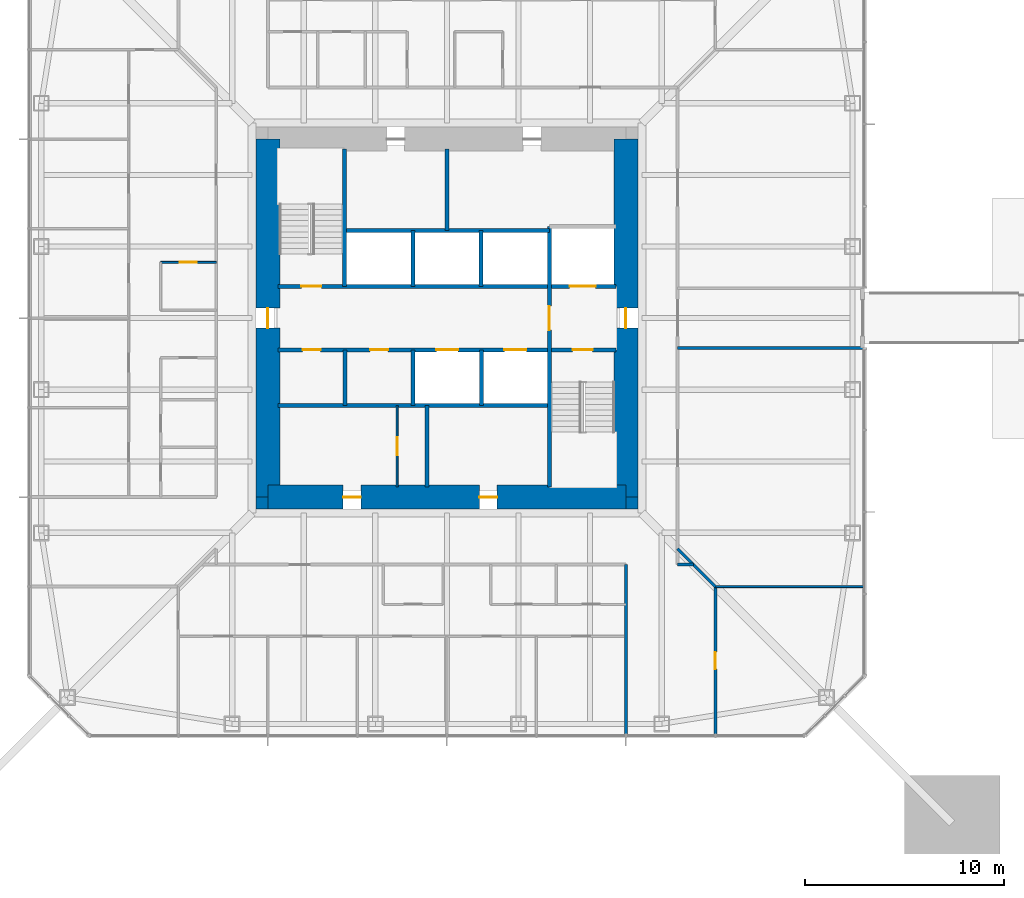
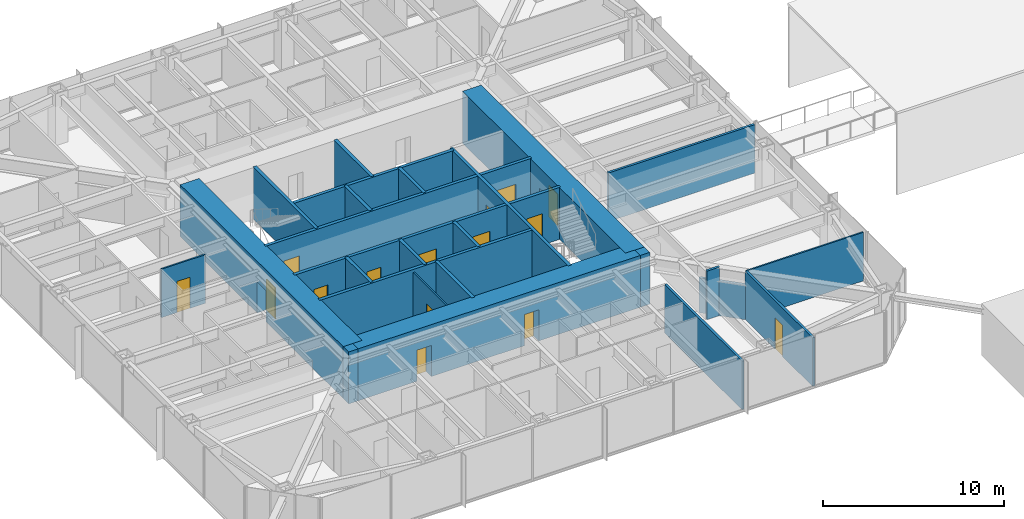
# One storey, part 13 of 23: 26 walls, 15 doors, 15 openings.
"""IFC4 building model written with IfcOpenShell, lengths in metres."""

from ifc_helpers import new_model, si_unit, direction, frame, frame_2d, origin, place, context, subcontext, project, spatial, rectangle, extrude, material, layer, layer_set, type_object, element, fill, save


model = new_model("IFC4")

# Units and contexts
model_context = context("Model", 3, precision=1e-05, world=origin(), true_north=direction((0.0, 1.0)))
body_context = subcontext(model_context, "Body", "Model", "MODEL_VIEW")
ifc_project = project(units=[si_unit("LENGTHUNIT", "METRE"), si_unit("AREAUNIT", "SQUARE_METRE"), si_unit("VOLUMEUNIT", "CUBIC_METRE"), si_unit("PLANEANGLEUNIT", "RADIAN"), si_unit("MASSUNIT", "GRAM", prefix="KILO")], contexts=[model_context])

# Site, building, storey
site_placement = place(None, origin())
site = spatial("IfcSite", under=ifc_project, at=site_placement, CompositionType="ELEMENT")
building_placement = place(site_placement, origin())
building = spatial("IfcBuilding", under=site, at=building_placement, Name="Iwan Alto Co-Living Towers", CompositionType="ELEMENT")
storey_placement = place(building_placement, frame((0.0, 0.0, 129.5)))
storey = spatial("IfcBuildingStorey", under=building, at=storey_placement, Name="L35", CompositionType="ELEMENT", Elevation=129.5)

# Walls
ifc_material_1 = material(Name="Gypsum board")
ifc_layer_1 = layer(ifc_material_1, 0.02490234375, Name="Board", Category="Finish")
ifc_material_2 = material(Name="Steel ASTM A1003 ST33H cold-formed studs", Category="steel")
ifc_layer_2 = layer(ifc_material_2, 0.10009765625, Name="Studs", Category="Framing")
ifc_layer_3 = layer(ifc_material_1, 0.02490234375, Name="Board", Category="Finish")
ifc_layer_set_1 = layer_set([ifc_layer_1, ifc_layer_2, ifc_layer_3], Name="CORRIDOR WALL 150")
wall_type_1 = type_object("IfcWallType", Name="CORRIDOR WALL 150", PredefinedType="PARTITIONING", material=ifc_layer_set_1)
wall_1_placement = place(storey_placement, frame((11.60009765625, -12.39990234375, 0.0), z_axis=(0.0, 0.0, 1.0), x_axis=(1.0, 0.0, 0.0)))
element("IfcWall", 1, at=wall_1_placement, inside=storey, type_object=wall_type_1, Name="Partition L35", PredefinedType="PARTITIONING", context=body_context, shape_type="SweptSolid", body=[
    extrude(rectangle(XDim=0.7998046875, YDim=0.14990234375, at=frame_2d((0.39990234375, 0.0))), origin(), (0.0, 0.0, 1.0), 3.27001953125),
])
wall_2_placement = place(storey_placement, frame((11.60009765625, -1.5, 0.0), z_axis=(0.0, 0.0, 1.0), x_axis=(1.0, 0.0, 0.0)))
element("IfcWall", 2, at=wall_2_placement, inside=storey, type_object=wall_type_1, Name="Partition L35", PredefinedType="PARTITIONING", context=body_context, shape_type="SweptSolid", body=[
    extrude(rectangle(XDim=9.33984375, YDim=0.14990234375, at=frame_2d((4.669921875, 0.0))), origin(), (0.0, 0.0, 1.0), 3.27001953125),
])

# Wall, opening, door
wall_3_placement = place(storey_placement, frame((13.5, -20.93994140625, 0.0), z_axis=(0.0, 0.0, 1.0), x_axis=(0.0, 1.0, 0.0)))
wall_3 = element("IfcWall", 3, at=wall_3_placement, inside=storey, type_object=wall_type_1, Name="Partition L35", PredefinedType="PARTITIONING", context=body_context, shape_type="SweptSolid", body=[
    extrude(rectangle(XDim=7.43994140625, YDim=0.14990234375, at=frame_2d((3.719970703125, 0.0))), origin(), (0.0, 0.0, 1.0), 3.27001953125),
])
opening_1_placement = place(wall_3_placement, frame((3.294921875, 0.0, 0.0)))
opening_1 = element("IfcOpeningElement", 4, at=opening_1_placement, cuts=wall_3, Name="Opening D2", PredefinedType="OPENING", context=body_context, shape_type="SweptSolid", body=[
    extrude(rectangle(XDim=0.85009765625, YDim=2.10009765625, at=frame_2d((0.425048828125, 1.050048828125))), frame((0.0, 0.0849609375, 0.0), z_axis=(0.0, -1.0, 0.0), x_axis=(1.0, 0.0, 0.0)), (0.0, 0.0, 1.0), 0.169921875),
])
ifc_material_3 = material(Name="Timber leaf in steel frame", Category="steel")
door_type_1 = type_object("IfcDoorType", Name="ROOM DOOR 850X2100", OperationType="SINGLE_SWING_LEFT", PredefinedType="DOOR", material=ifc_material_3)
door_1_placement = place(opening_1_placement, frame((0.85009765625, 0.0, 0.0), z_axis=(0.0, 0.0, 1.0), x_axis=(-1.0, 0.0, 0.0)))
door_1 = element("IfcDoor", 5, at=door_1_placement, inside=storey, type_object=door_type_1, Name="Shared kitchen and lounge door L35", OperationType="SINGLE_SWING_LEFT", OverallHeight=2.10009765625, OverallWidth=0.85009765625, PredefinedType="DOOR", context=body_context, shape_type="SweptSolid", body=[
    extrude(rectangle(XDim=0.85009765625, YDim=2.10009765625, at=frame_2d((0.425048828125, 1.050048828125))), frame((0.0, 0.02490234375, 0.0), z_axis=(0.0, -1.0, 0.0), x_axis=(1.0, 0.0, 0.0)), (0.0, 0.0, 1.0), 0.050048828125),
])
fill(opening_1, door_1)

# Walls
wall_4_placement = place(storey_placement, frame((9.0, -20.93994140625, 0.0), z_axis=(0.0, 0.0, 1.0), x_axis=(0.0, 1.0, 0.0)))
element("IfcWall", 6, at=wall_4_placement, inside=storey, type_object=wall_type_1, Name="Partition L35", PredefinedType="PARTITIONING", context=body_context, shape_type="SweptSolid", body=[
    extrude(rectangle(XDim=8.5400390625, YDim=0.14990234375, at=frame_2d((4.27001953125, 0.0))), origin(), (0.0, 0.0, 1.0), 3.27001953125),
])
wall_5_placement = place(storey_placement, frame((13.5, -13.5, 0.0), z_axis=(0.0, 0.0, 1.0), x_axis=(-0.707106781187, 0.707106781187, 0.0)))
element("IfcWall", 7, at=wall_5_placement, inside=storey, type_object=wall_type_1, Name="Partition L35", PredefinedType="PARTITIONING", context=body_context, shape_type="SweptSolid", body=[
    extrude(rectangle(XDim=2.686767578125, YDim=0.14990234375, at=frame_2d((1.34326171875, 0.0))), origin(), (0.0, 0.0, 1.0), 2.343017578125),
])
ifc_layer_4 = layer(ifc_material_1, 0.012451171875, Name="Board", Category="Finish")
ifc_layer_5 = layer(ifc_material_2, 0.074951171875, Name="Studs", Category="Framing")
ifc_layer_6 = layer(ifc_material_1, 0.012451171875, Name="Board", Category="Finish")
ifc_layer_set_2 = layer_set([ifc_layer_4, ifc_layer_5, ifc_layer_6], Name="PARTITION 100")
wall_type_2 = type_object("IfcWallType", Name="PARTITION 100", PredefinedType="PARTITIONING", material=ifc_layer_set_2)
wall_6_placement = place(storey_placement, frame((13.5, -13.5, 0.0), z_axis=(0.0, 0.0, 1.0), x_axis=(1.0, 0.0, 0.0)))
element("IfcWall", 8, at=wall_6_placement, inside=storey, type_object=wall_type_2, Name="Partition L35", PredefinedType="PARTITIONING", context=body_context, shape_type="SweptSolid", body=[
    extrude(rectangle(XDim=7.43994140625, YDim=0.10009765625, at=frame_2d((3.719970703125, 0.0))), origin(), (0.0, 0.0, 1.0), 3.27001953125),
])

# Wall, opening, door
wall_7_placement = place(storey_placement, frame((-14.39990234375, 2.800048828125, 0.0), z_axis=(0.0, 0.0, 1.0), x_axis=(1.0, 0.0, 0.0)))
wall_7 = element("IfcWall", 9, at=wall_7_placement, inside=storey, type_object=wall_type_2, Name="Partition L35", PredefinedType="PARTITIONING", context=body_context, shape_type="SweptSolid", body=[
    extrude(rectangle(XDim=2.7998046875, YDim=0.10009765625, at=frame_2d((1.39990234375, 0.0))), origin(), (0.0, 0.0, 1.0), 3.27001953125),
])
opening_2_placement = place(wall_7_placement, frame((0.97509765625, 0.0, 0.0)))
opening_2 = element("IfcOpeningElement", 10, at=opening_2_placement, cuts=wall_7, Name="Opening D2", PredefinedType="OPENING", context=body_context, shape_type="SweptSolid", body=[
    extrude(rectangle(XDim=0.85009765625, YDim=2.10009765625, at=frame_2d((0.425048828125, 1.050048828125))), frame((0.0, 0.06005859375, 0.0), z_axis=(0.0, -1.0, 0.0), x_axis=(1.0, 0.0, 0.0)), (0.0, 0.0, 1.0), 0.1201171875),
])
door_2_placement = place(opening_2_placement, origin())
door_2 = element("IfcDoor", 11, at=door_2_placement, inside=storey, type_object=door_type_1, Name="Store room door L35", OperationType="SINGLE_SWING_RIGHT", OverallHeight=2.10009765625, OverallWidth=0.85009765625, PredefinedType="DOOR", context=body_context, shape_type="SweptSolid", body=[
    extrude(rectangle(XDim=0.85009765625, YDim=2.10009765625, at=frame_2d((0.425048828125, 1.050048828125))), frame((0.0, 0.02490234375, 0.0), z_axis=(0.0, -1.0, 0.0), x_axis=(1.0, 0.0, 0.0)), (0.0, 0.0, 1.0), 0.050048828125),
])
fill(opening_2, door_2)

wall_8_placement = place(storey_placement, frame((-2.5, -8.489990234375, 0.0), z_axis=(0.0, 0.0, 1.0), x_axis=(0.0, 1.0, 0.0)))
wall_8 = element("IfcWall", 12, at=wall_8_placement, inside=storey, type_object=wall_type_2, Name="Partition L35", PredefinedType="PARTITIONING", context=body_context, shape_type="SweptSolid", body=[
    extrude(rectangle(XDim=4.090087890625, YDim=0.10009765625, at=frame_2d((2.044921875, 0.0))), origin(), (0.0, 0.0, 1.0), 3.300048828125),
])
opening_3_placement = place(wall_8_placement, frame((1.594970703125, 0.0, 0.0)))
opening_3 = element("IfcOpeningElement", 13, at=opening_3_placement, cuts=wall_8, Name="Opening D16", PredefinedType="OPENING", context=body_context, shape_type="SweptSolid", body=[
    extrude(rectangle(XDim=0.89990234375, YDim=2.10009765625, at=frame_2d((0.449951171875, 1.050048828125))), frame((0.0, 0.06005859375, 0.0), z_axis=(0.0, -1.0, 0.0), x_axis=(1.0, 0.0, 0.0)), (0.0, 0.0, 1.0), 0.1201171875),
])
ifc_material_4 = material(Name="Timber leaf in steel frame", Category="steel")
door_type_2 = type_object("IfcDoorType", Name="CUPBOARD SLIDING DOOR 900X2100", OperationType="SLIDING_TO_LEFT", PredefinedType="DOOR", material=ifc_material_4)
door_3_placement = place(opening_3_placement, origin())
door_3 = element("IfcDoor", 14, at=door_3_placement, inside=storey, type_object=door_type_2, Name="Bulky waste store door L35", OperationType="SLIDING_TO_LEFT", OverallHeight=2.10009765625, OverallWidth=0.89990234375, PredefinedType="DOOR", context=body_context, shape_type="SweptSolid", body=[
    extrude(rectangle(XDim=0.89990234375, YDim=2.10009765625, at=frame_2d((0.449951171875, 1.050048828125))), frame((0.0, 0.02490234375, 0.0), z_axis=(0.0, -1.0, 0.0), x_axis=(1.0, 0.0, 0.0)), (0.0, 0.0, 1.0), 0.050048828125),
])
fill(opening_3, door_3)

# Wall
ifc_material_5 = material(Name="Concrete f'c 70 MPa", Category="concrete")
ifc_layer_7 = layer(ifc_material_5, 0.199951171875)
ifc_layer_set_3 = layer_set([ifc_layer_7], Name="SHAFT WALL 200")
wall_type_3 = type_object("IfcWallType", Name="SHAFT WALL 200", PredefinedType="SOLIDWALL", material=ifc_layer_set_3)
wall_9_placement = place(storey_placement, frame((-8.489990234375, -4.39990234375, 0.0), z_axis=(0.0, 0.0, 1.0), x_axis=(1.0, 0.0, 0.0)))
element("IfcWall", 15, at=wall_9_placement, inside=storey, type_object=wall_type_3, Name="Shaft wall L35", PredefinedType="SOLIDWALL", context=body_context, shape_type="SweptSolid", body=[
    extrude(rectangle(XDim=13.639892578125, YDim=0.199951171875, at=frame_2d((6.81982421875, 0.0))), origin(), (0.0, 0.0, 1.0), 3.5),
])

# Wall, openings, doors
wall_10_placement = place(storey_placement, frame((-8.489990234375, -1.60009765625, 0.0), z_axis=(0.0, 0.0, 1.0), x_axis=(1.0, 0.0, 0.0)))
wall_10 = element("IfcWall", 16, at=wall_10_placement, inside=storey, type_object=wall_type_3, Name="Shaft wall L35", PredefinedType="SOLIDWALL", context=body_context, shape_type="SweptSolid", body=[
    extrude(rectangle(XDim=16.97998046875, YDim=0.199951171875, at=frame_2d((8.489990234375, 0.0))), origin(), (0.0, 0.0, 1.0), 3.5),
])
opening_4_placement = place(wall_10_placement, frame((14.81005859375, 0.0, 0.0)))
opening_4 = element("IfcOpeningElement", 17, at=opening_4_placement, cuts=wall_10, Name="Opening D5", PredefinedType="OPENING", context=body_context, shape_type="SweptSolid", body=[
    extrude(rectangle(XDim=1.0, YDim=2.10009765625, at=frame_2d((0.5, 1.050048828125))), frame((0.0, 0.10986328125, 0.0), z_axis=(0.0, -1.0, 0.0), x_axis=(1.0, 0.0, 0.0)), (0.0, 0.0, 1.0), 0.219970703125),
])
opening_5_placement = place(wall_10_placement, frame((1.23193359375, 0.0, 0.0)))
opening_5 = element("IfcOpeningElement", 18, at=opening_5_placement, cuts=wall_10, Name="Opening D15", PredefinedType="OPENING", context=body_context, shape_type="SweptSolid", body=[
    extrude(rectangle(XDim=0.89990234375, YDim=2.10009765625, at=frame_2d((0.449951171875, 1.050048828125))), frame((0.0, 0.10986328125, 0.0), z_axis=(0.0, -1.0, 0.0), x_axis=(1.0, 0.0, 0.0)), (0.0, 0.0, 1.0), 0.219970703125),
])
opening_6_placement = place(wall_10_placement, frame((4.626953125, 0.0, 0.0)))
opening_6 = element("IfcOpeningElement", 19, at=opening_6_placement, cuts=wall_10, Name="Opening D15", PredefinedType="OPENING", context=body_context, shape_type="SweptSolid", body=[
    extrude(rectangle(XDim=0.89990234375, YDim=2.10009765625, at=frame_2d((0.449951171875, 1.050048828125))), frame((0.0, 0.10986328125, 0.0), z_axis=(0.0, -1.0, 0.0), x_axis=(1.0, 0.0, 0.0)), (0.0, 0.0, 1.0), 0.219970703125),
])
opening_7_placement = place(wall_10_placement, frame((7.952880859375, 0.0, 0.0)))
opening_7 = element("IfcOpeningElement", 20, at=opening_7_placement, cuts=wall_10, Name="Opening LD", PredefinedType="OPENING", context=body_context, shape_type="SweptSolid", body=[
    extrude(rectangle(XDim=1.10009765625, YDim=2.10009765625, at=frame_2d((0.550048828125, 1.050048828125))), frame((0.0, 0.10986328125, 0.0), z_axis=(0.0, -1.0, 0.0), x_axis=(1.0, 0.0, 0.0)), (0.0, 0.0, 1.0), 0.219970703125),
])
opening_8_placement = place(wall_10_placement, frame((11.3779296875, 0.0, 0.0)))
opening_8 = element("IfcOpeningElement", 21, at=opening_8_placement, cuts=wall_10, Name="Opening LD", PredefinedType="OPENING", context=body_context, shape_type="SweptSolid", body=[
    extrude(rectangle(XDim=1.10009765625, YDim=2.10009765625, at=frame_2d((0.550048828125, 1.050048828125))), frame((0.0, 0.10986328125, 0.0), z_axis=(0.0, -1.0, 0.0), x_axis=(1.0, 0.0, 0.0)), (0.0, 0.0, 1.0), 0.219970703125),
])
ifc_material_6 = material(Name="Steel frame with timber leaf", Category="steel")
door_type_3 = type_object("IfcDoorType", Name="CORE ROOM DOOR FD60S 900X2100", OperationType="SINGLE_SWING_LEFT", PredefinedType="DOOR", material=ifc_material_6)
door_4_placement = place(opening_5_placement, frame((0.89990234375, 0.0, 0.0), z_axis=(0.0, 0.0, 1.0), x_axis=(-1.0, 0.0, 0.0)))
door_4 = element("IfcDoor", 22, at=door_4_placement, inside=storey, type_object=door_type_3, Name="Linen store door L35", OperationType="SINGLE_SWING_LEFT", OverallHeight=2.10009765625, OverallWidth=0.89990234375, PredefinedType="DOOR", context=body_context, shape_type="SweptSolid", body=[
    extrude(rectangle(XDim=0.89990234375, YDim=2.10009765625, at=frame_2d((0.449951171875, 1.050048828125))), frame((0.0, 0.02490234375, 0.0), z_axis=(0.0, -1.0, 0.0), x_axis=(1.0, 0.0, 0.0)), (0.0, 0.0, 1.0), 0.050048828125),
])
fill(opening_5, door_4)
door_5_placement = place(opening_6_placement, frame((0.89990234375, 0.0, 0.0), z_axis=(0.0, 0.0, 1.0), x_axis=(-1.0, 0.0, 0.0)))
door_5 = element("IfcDoor", 23, at=door_5_placement, inside=storey, type_object=door_type_3, Name="Linen store door L35", OperationType="SINGLE_SWING_RIGHT", OverallHeight=2.10009765625, OverallWidth=0.89990234375, PredefinedType="DOOR", context=body_context, shape_type="SweptSolid", body=[
    extrude(rectangle(XDim=0.89990234375, YDim=2.10009765625, at=frame_2d((0.449951171875, 1.050048828125))), frame((0.0, 0.02490234375, 0.0), z_axis=(0.0, -1.0, 0.0), x_axis=(1.0, 0.0, 0.0)), (0.0, 0.0, 1.0), 0.050048828125),
])
fill(opening_6, door_5)
ifc_material_7 = material(Name="Steel frame with timber leaf", Category="steel")
door_type_4 = type_object("IfcDoorType", Name="LIFT LANDING DOOR 1100X2100", OperationType="DOUBLE_DOOR_SLIDING", PredefinedType="DOOR", material=ifc_material_7)
door_6_placement = place(opening_7_placement, origin())
door_6 = element("IfcDoor", 24, at=door_6_placement, inside=storey, type_object=door_type_4, Name="Lift P2-3 landing door L35", OperationType="DOUBLE_DOOR_SLIDING", OverallHeight=2.10009765625, OverallWidth=1.10009765625, PredefinedType="DOOR", context=body_context, shape_type="SweptSolid", body=[
    extrude(rectangle(XDim=1.10009765625, YDim=2.10009765625, at=frame_2d((0.550048828125, 1.050048828125))), frame((0.0, 0.02490234375, 0.0), z_axis=(0.0, -1.0, 0.0), x_axis=(1.0, 0.0, 0.0)), (0.0, 0.0, 1.0), 0.050048828125),
])
fill(opening_7, door_6)
door_7_placement = place(opening_8_placement, origin())
door_7 = element("IfcDoor", 25, at=door_7_placement, inside=storey, type_object=door_type_4, Name="Lift P2-4 landing door L35", OperationType="DOUBLE_DOOR_SLIDING", OverallHeight=2.10009765625, OverallWidth=1.10009765625, PredefinedType="DOOR", context=body_context, shape_type="SweptSolid", body=[
    extrude(rectangle(XDim=1.10009765625, YDim=2.10009765625, at=frame_2d((0.550048828125, 1.050048828125))), frame((0.0, 0.02490234375, 0.0), z_axis=(0.0, -1.0, 0.0), x_axis=(1.0, 0.0, 0.0)), (0.0, 0.0, 1.0), 0.050048828125),
])
fill(opening_8, door_7)
ifc_material_8 = material(Name="Steel frame with timber leaf", Category="steel")
door_type_5 = type_object("IfcDoorType", Name="STAIR DOOR FD120S 1000X2100", OperationType="SINGLE_SWING_LEFT", PredefinedType="DOOR", material=ifc_material_8)
door_8_placement = place(opening_4_placement, frame((1.0, 0.0, 0.0), z_axis=(0.0, 0.0, 1.0), x_axis=(-1.0, 0.0, 0.0)))
door_8 = element("IfcDoor", 26, at=door_8_placement, inside=storey, type_object=door_type_5, Name="Stair S2 door L35", OperationType="SINGLE_SWING_RIGHT", OverallHeight=2.10009765625, OverallWidth=1.0, PredefinedType="DOOR", context=body_context, shape_type="SweptSolid", body=[
    extrude(rectangle(XDim=1.0, YDim=2.10009765625, at=frame_2d((0.5, 1.050048828125))), frame((0.0, 0.02490234375, 0.0), z_axis=(0.0, -1.0, 0.0), x_axis=(1.0, 0.0, 0.0)), (0.0, 0.0, 1.0), 0.050048828125),
])
fill(opening_4, door_8)

wall_11_placement = place(storey_placement, frame((-8.489990234375, 1.60009765625, 0.0), z_axis=(0.0, 0.0, 1.0), x_axis=(1.0, 0.0, 0.0)))
wall_11 = element("IfcWall", 27, at=wall_11_placement, inside=storey, type_object=wall_type_3, Name="Shaft wall L35", PredefinedType="SOLIDWALL", context=body_context, shape_type="SweptSolid", body=[
    extrude(rectangle(XDim=16.97998046875, YDim=0.199951171875, at=frame_2d((8.489990234375, 0.0))), origin(), (0.0, 0.0, 1.0), 3.5),
])
opening_9_placement = place(wall_11_placement, frame((1.169921875, 0.0, 0.0)))
opening_9 = element("IfcOpeningElement", 28, at=opening_9_placement, cuts=wall_11, Name="Opening D5", PredefinedType="OPENING", context=body_context, shape_type="SweptSolid", body=[
    extrude(rectangle(XDim=1.0, YDim=2.10009765625, at=frame_2d((0.5, 1.050048828125))), frame((0.0, 0.10986328125, 0.0), z_axis=(0.0, -1.0, 0.0), x_axis=(1.0, 0.0, 0.0)), (0.0, 0.0, 1.0), 0.219970703125),
])
opening_10_placement = place(wall_11_placement, frame((14.659912109375, 0.0, 0.0)))
opening_10 = element("IfcOpeningElement", 29, at=opening_10_placement, cuts=wall_11, Name="Opening LD2", PredefinedType="OPENING", context=body_context, shape_type="SweptSolid", body=[
    extrude(rectangle(XDim=1.300048828125, YDim=2.10009765625, at=frame_2d((0.64990234375, 1.050048828125))), frame((0.0, 0.10986328125, 0.0), z_axis=(0.0, -1.0, 0.0), x_axis=(1.0, 0.0, 0.0)), (0.0, 0.0, 1.0), 0.219970703125),
])
ifc_material_9 = material(Name="Steel frame with timber leaf", Category="steel")
door_type_6 = type_object("IfcDoorType", Name="LIFT LANDING DOOR 1300X2100", OperationType="SLIDING_TO_LEFT", PredefinedType="DOOR", material=ifc_material_9)
door_9_placement = place(opening_10_placement, origin())
door_9 = element("IfcDoor", 30, at=door_9_placement, inside=storey, type_object=door_type_6, Name="Lift FL1 landing door L35", OperationType="SLIDING_TO_LEFT", OverallHeight=2.10009765625, OverallWidth=1.300048828125, PredefinedType="DOOR", context=body_context, shape_type="SweptSolid", body=[
    extrude(rectangle(XDim=1.300048828125, YDim=2.10009765625, at=frame_2d((0.64990234375, 1.050048828125))), frame((0.0, 0.02490234375, 0.0), z_axis=(0.0, -1.0, 0.0), x_axis=(1.0, 0.0, 0.0)), (0.0, 0.0, 1.0), 0.050048828125),
])
fill(opening_10, door_9)
door_10_placement = place(opening_9_placement, origin())
door_10 = element("IfcDoor", 31, at=door_10_placement, inside=storey, type_object=door_type_5, Name="Stair S1 door L35", OperationType="SINGLE_SWING_RIGHT", OverallHeight=2.10009765625, OverallWidth=1.0, PredefinedType="DOOR", context=body_context, shape_type="SweptSolid", body=[
    extrude(rectangle(XDim=1.0, YDim=2.10009765625, at=frame_2d((0.5, 1.050048828125))), frame((0.0, 0.02490234375, 0.0), z_axis=(0.0, -1.0, 0.0), x_axis=(1.0, 0.0, 0.0)), (0.0, 0.0, 1.0), 0.050048828125),
])
fill(opening_9, door_10)

# Wall
wall_12_placement = place(storey_placement, frame((-5.14990234375, 4.39990234375, 0.0), z_axis=(0.0, 0.0, 1.0), x_axis=(1.0, 0.0, 0.0)))
element("IfcWall", 32, at=wall_12_placement, inside=storey, type_object=wall_type_3, Name="Shaft wall L35", PredefinedType="SOLIDWALL", context=body_context, shape_type="SweptSolid", body=[
    extrude(rectangle(XDim=10.2998046875, YDim=0.199951171875, at=frame_2d((5.14990234375, 0.0))), origin(), (0.0, 0.0, 1.0), 3.5),
])

# Wall, opening, door
wall_13_placement = place(storey_placement, frame((5.14990234375, -8.489990234375, 0.0), z_axis=(0.0, 0.0, 1.0), x_axis=(0.0, 1.0, 0.0)))
wall_13 = element("IfcWall", 33, at=wall_13_placement, inside=storey, type_object=wall_type_3, Name="Shaft wall L35", PredefinedType="SOLIDWALL", context=body_context, shape_type="SweptSolid", body=[
    extrude(rectangle(XDim=13.090087890625, YDim=0.199951171875, at=frame_2d((6.544921875, 0.0))), origin(), (0.0, 0.0, 1.0), 3.5),
])
opening_11_placement = place(wall_13_placement, frame((7.889892578125, 0.0, 0.0)))
opening_11 = element("IfcOpeningElement", 34, at=opening_11_placement, cuts=wall_13, Name="Opening D6", PredefinedType="OPENING", context=body_context, shape_type="SweptSolid", body=[
    extrude(rectangle(XDim=1.199951171875, YDim=2.10009765625, at=frame_2d((0.60009765625, 1.050048828125))), frame((0.0, 0.10986328125, 0.0), z_axis=(0.0, -1.0, 0.0), x_axis=(1.0, 0.0, 0.0)), (0.0, 0.0, 1.0), 0.219970703125),
])
ifc_material_10 = material(Name="Steel frame with timber leaf", Category="steel")
door_type_7 = type_object("IfcDoorType", Name="LOBBY DOOR FD120S 1200X2100", OperationType="SINGLE_SWING_LEFT", PredefinedType="DOOR", material=ifc_material_10)
door_11_placement = place(opening_11_placement, frame((1.199951171875, 0.0, 0.0), z_axis=(0.0, 0.0, 1.0), x_axis=(-1.0, 0.0, 0.0)))
door_11 = element("IfcDoor", 35, at=door_11_placement, inside=storey, type_object=door_type_7, Name="Firefighting lobby door L35", OperationType="SINGLE_SWING_RIGHT", OverallHeight=2.10009765625, OverallWidth=1.199951171875, PredefinedType="DOOR", context=body_context, shape_type="SweptSolid", body=[
    extrude(rectangle(XDim=1.199951171875, YDim=2.10009765625, at=frame_2d((0.60009765625, 1.050048828125))), frame((0.0, 0.02490234375, 0.0), z_axis=(0.0, -1.0, 0.0), x_axis=(1.0, 0.0, 0.0)), (0.0, 0.0, 1.0), 0.050048828125),
])
fill(opening_11, door_11)

# Walls
for number, where, z_axis, x_axis, name in (
    (36, (1.72509765625, -4.39990234375, 0.0), (0.0, 0.0, 1.0), (0.0, 1.0, 0.0), "Shaft wall L35"),
    (37, (1.717041015625, 1.60009765625, 0.0), (0.0, 0.0, 1.0), (0.0, 1.0, 0.0), "Shaft wall L35"),
):
    element("IfcWall", number, at=place(storey_placement, frame(where, z_axis=z_axis, x_axis=x_axis)), inside=storey, type_object=wall_type_3, Name=name, PredefinedType="SOLIDWALL", context=body_context, shape_type="SweptSolid", body=[
        extrude(rectangle(XDim=2.7998046875, YDim=0.199951171875, at=frame_2d((1.39990234375, 0.0))), origin(), (0.0, 0.0, 1.0), 3.5),
    ])
for number, where, z_axis, x_axis, name in (
    (38, (0.0, 4.39990234375, 0.0), (0.0, 0.0, 1.0), (0.0, 1.0, 0.0), "Shaft wall L35"),
    (39, (-1.0, -8.489990234375, 0.0), (0.0, 0.0, 1.0), (0.0, 1.0, 0.0), "Shaft wall L35"),
):
    element("IfcWall", number, at=place(storey_placement, frame(where, z_axis=z_axis, x_axis=x_axis)), inside=storey, type_object=wall_type_3, Name=name, PredefinedType="SOLIDWALL", context=body_context, shape_type="SweptSolid", body=[
        extrude(rectangle(XDim=4.090087890625, YDim=0.199951171875, at=frame_2d((2.044921875, 0.0))), origin(), (0.0, 0.0, 1.0), 3.5),
    ])
for number, where, z_axis, x_axis, name in (
    (40, (-1.699951171875, -4.39990234375, 0.0), (0.0, 0.0, 1.0), (0.0, 1.0, 0.0), "Shaft wall L35"),
    (41, (-1.717041015625, 1.60009765625, 0.0), (0.0, 0.0, 1.0), (0.0, 1.0, 0.0), "Shaft wall L35"),
    (42, (-5.125, -4.39990234375, 0.0), (0.0, 0.0, 1.0), (0.0, 1.0, 0.0), "Shaft wall L35"),
):
    element("IfcWall", number, at=place(storey_placement, frame(where, z_axis=z_axis, x_axis=x_axis)), inside=storey, type_object=wall_type_3, Name=name, PredefinedType="SOLIDWALL", context=body_context, shape_type="SweptSolid", body=[
        extrude(rectangle(XDim=2.7998046875, YDim=0.199951171875, at=frame_2d((1.39990234375, 0.0))), origin(), (0.0, 0.0, 1.0), 3.5),
    ])
wall_14_placement = place(storey_placement, frame((-5.14990234375, 1.60009765625, 0.0), z_axis=(0.0, 0.0, 1.0), x_axis=(0.0, 1.0, 0.0)))
element("IfcWall", 43, at=wall_14_placement, inside=storey, type_object=wall_type_3, Name="Shaft wall L35", PredefinedType="SOLIDWALL", context=body_context, shape_type="SweptSolid", body=[
    extrude(rectangle(XDim=6.889892578125, YDim=0.199951171875, at=frame_2d((3.44482421875, 0.0))), origin(), (0.0, 0.0, 1.0), 3.5),
])
ifc_material_11 = material(Name="Concrete f'c 70 MPa", Category="concrete")
ifc_layer_8 = layer(ifc_material_11, 0.60009765625)
ifc_layer_set_4 = layer_set([ifc_layer_8], Name="T1 CORE CORNER FILL 600")
wall_type_4 = type_object("IfcWallType", Name="T1 CORE CORNER FILL 600", PredefinedType="SOLIDWALL", material=ifc_layer_set_4)
for number, where, z_axis, x_axis, name in (
    (44, (-9.60009765625, -9.300048828125, 0.0), (0.0, 0.0, 1.0), (1.0, 0.0, 0.0), "T1 core corner SW L35"),
    (45, (9.0, -9.300048828125, 0.0), (0.0, 0.0, 1.0), (1.0, 0.0, 0.0), "T1 core corner SE L35"),
):
    element("IfcWall", number, at=place(storey_placement, frame(where, z_axis=z_axis, x_axis=x_axis)), inside=storey, type_object=wall_type_4, Name=name, PredefinedType="SOLIDWALL", context=body_context, shape_type="SweptSolid", body=[
        extrude(rectangle(XDim=0.60009765625, YDim=0.60009765625, at=frame_2d((0.300048828125, 0.0))), origin(), (0.0, 0.0, 1.0), 3.5),
    ])

# Wall, openings, doors
ifc_material_12 = material(Name="Concrete f'c 70 MPa", Category="concrete")
ifc_layer_9 = layer(ifc_material_12, 1.199951171875)
ifc_layer_set_5 = layer_set([ifc_layer_9], Name="T1 CORE WALL 1200")
wall_type_5 = type_object("IfcWallType", Name="T1 CORE WALL 1200", PredefinedType="SHEAR", material=ifc_layer_set_5)
wall_15_placement = place(storey_placement, frame((-9.0, -9.0, 0.0), z_axis=(0.0, 0.0, 1.0), x_axis=(1.0, 0.0, 0.0)))
wall_15 = element("IfcWall", 46, at=wall_15_placement, inside=storey, type_object=wall_type_5, Name="T1 core wall S L35", PredefinedType="SHEAR", context=body_context, shape_type="SweptSolid", body=[
    extrude(rectangle(XDim=18.0, YDim=1.199951171875, at=frame_2d((9.0, 0.0))), origin(), (0.0, 0.0, 1.0), 3.5),
])
opening_12_placement = place(wall_15_placement, frame((3.77490234375, 0.0, 0.0)))
opening_12 = element("IfcOpeningElement", 47, at=opening_12_placement, cuts=wall_15, Name="Opening D8", PredefinedType="OPENING", context=body_context, shape_type="SweptSolid", body=[
    extrude(rectangle(XDim=0.89990234375, YDim=2.10009765625, at=frame_2d((0.449951171875, 1.050048828125))), frame((0.0, 0.60986328125, 0.0), z_axis=(0.0, -1.0, 0.0), x_axis=(1.0, 0.0, 0.0)), (0.0, 0.0, 1.0), 1.219970703125),
])
opening_13_placement = place(wall_15_placement, frame((10.625, 0.0, 0.0)))
opening_13 = element("IfcOpeningElement", 48, at=opening_13_placement, cuts=wall_15, Name="Opening D8", PredefinedType="OPENING", context=body_context, shape_type="SweptSolid", body=[
    extrude(rectangle(XDim=0.89990234375, YDim=2.10009765625, at=frame_2d((0.449951171875, 1.050048828125))), frame((0.0, 0.60986328125, 0.0), z_axis=(0.0, -1.0, 0.0), x_axis=(1.0, 0.0, 0.0)), (0.0, 0.0, 1.0), 1.219970703125),
])
ifc_material_13 = material(Name="Steel frame with timber leaf", Category="steel")
door_type_8 = type_object("IfcDoorType", Name="RISER DOOR FD120 900X2100", OperationType="SINGLE_SWING_LEFT", PredefinedType="DOOR", material=ifc_material_13)
door_12_placement = place(opening_12_placement, origin())
door_12 = element("IfcDoor", 49, at=door_12_placement, inside=storey, type_object=door_type_8, Name="Refuse room core door L35", OperationType="SINGLE_SWING_RIGHT", OverallHeight=2.10009765625, OverallWidth=0.89990234375, PredefinedType="DOOR", context=body_context, shape_type="SweptSolid", body=[
    extrude(rectangle(XDim=0.89990234375, YDim=2.10009765625, at=frame_2d((0.449951171875, 1.050048828125))), frame((0.0, 0.02490234375, 0.0), z_axis=(0.0, -1.0, 0.0), x_axis=(1.0, 0.0, 0.0)), (0.0, 0.0, 1.0), 0.050048828125),
])
fill(opening_12, door_12)
door_13_placement = place(opening_13_placement, origin())
door_13 = element("IfcDoor", 50, at=door_13_placement, inside=storey, type_object=door_type_8, Name="Telecom riser core door L35", OperationType="SINGLE_SWING_LEFT", OverallHeight=2.10009765625, OverallWidth=0.89990234375, PredefinedType="DOOR", context=body_context, shape_type="SweptSolid", body=[
    extrude(rectangle(XDim=0.89990234375, YDim=2.10009765625, at=frame_2d((0.449951171875, 1.050048828125))), frame((0.0, 0.02490234375, 0.0), z_axis=(0.0, -1.0, 0.0), x_axis=(1.0, 0.0, 0.0)), (0.0, 0.0, 1.0), 0.050048828125),
])
fill(opening_13, door_13)

# Wall, opening, door
wall_16_placement = place(storey_placement, frame((9.0, -9.0, 0.0), z_axis=(0.0, 0.0, 1.0), x_axis=(0.0, 1.0, 0.0)))
wall_16 = element("IfcWall", 51, at=wall_16_placement, inside=storey, type_object=wall_type_5, Name="T1 core wall E L35", PredefinedType="SHEAR", context=body_context, shape_type="SweptSolid", body=[
    extrude(rectangle(XDim=18.0, YDim=1.199951171875, at=frame_2d((9.0, 0.0))), origin(), (0.0, 0.0, 1.0), 3.5),
])
opening_14_placement = place(wall_16_placement, frame((8.5, 0.0, 0.0)))
opening_14 = element("IfcOpeningElement", 52, at=opening_14_placement, cuts=wall_16, Name="Opening D7", PredefinedType="OPENING", context=body_context, shape_type="SweptSolid", body=[
    extrude(rectangle(XDim=1.0, YDim=2.10009765625, at=frame_2d((0.5, 1.050048828125))), frame((0.0, 0.60986328125, 0.0), z_axis=(0.0, -1.0, 0.0), x_axis=(1.0, 0.0, 0.0)), (0.0, 0.0, 1.0), 1.219970703125),
])
ifc_material_14 = material(Name="Steel frame with timber leaf", Category="steel")
door_type_9 = type_object("IfcDoorType", Name="CORE DOOR FD120S 1000X2100", OperationType="SINGLE_SWING_LEFT", PredefinedType="DOOR", material=ifc_material_14)
door_14_placement = place(opening_14_placement, origin())
door_14 = element("IfcDoor", 53, at=door_14_placement, inside=storey, type_object=door_type_9, Name="Firefighting lobby core door L35", OperationType="SINGLE_SWING_LEFT", OverallHeight=2.10009765625, OverallWidth=1.0, PredefinedType="DOOR", context=body_context, shape_type="SweptSolid", body=[
    extrude(rectangle(XDim=1.0, YDim=2.10009765625, at=frame_2d((0.5, 1.050048828125))), frame((0.0, 0.02490234375, 0.0), z_axis=(0.0, -1.0, 0.0), x_axis=(1.0, 0.0, 0.0)), (0.0, 0.0, 1.0), 0.050048828125),
])
fill(opening_14, door_14)

wall_17_placement = place(storey_placement, frame((-9.0, 9.0, 0.0), z_axis=(0.0, 0.0, 1.0), x_axis=(0.0, -1.0, 0.0)))
wall_17 = element("IfcWall", 54, at=wall_17_placement, inside=storey, type_object=wall_type_5, Name="T1 core wall W L35", PredefinedType="SHEAR", context=body_context, shape_type="SweptSolid", body=[
    extrude(rectangle(XDim=18.0, YDim=1.199951171875, at=frame_2d((9.0, 0.0))), origin(), (0.0, 0.0, 1.0), 3.5),
])
opening_15_placement = place(wall_17_placement, frame((8.5, 0.0, 0.0)))
opening_15 = element("IfcOpeningElement", 55, at=opening_15_placement, cuts=wall_17, Name="Opening D7", PredefinedType="OPENING", context=body_context, shape_type="SweptSolid", body=[
    extrude(rectangle(XDim=1.0, YDim=2.10009765625, at=frame_2d((0.5, 1.050048828125))), frame((0.0, 0.60986328125, 0.0), z_axis=(0.0, -1.0, 0.0), x_axis=(1.0, 0.0, 0.0)), (0.0, 0.0, 1.0), 1.219970703125),
])
door_15_placement = place(opening_15_placement, origin())
door_15 = element("IfcDoor", 56, at=door_15_placement, inside=storey, type_object=door_type_9, Name="Lift lobby core door L35", OperationType="SINGLE_SWING_RIGHT", OverallHeight=2.10009765625, OverallWidth=1.0, PredefinedType="DOOR", context=body_context, shape_type="SweptSolid", body=[
    extrude(rectangle(XDim=1.0, YDim=2.10009765625, at=frame_2d((0.5, 1.050048828125))), frame((0.0, 0.02490234375, 0.0), z_axis=(0.0, -1.0, 0.0), x_axis=(1.0, 0.0, 0.0)), (0.0, 0.0, 1.0), 0.050048828125),
])
fill(opening_15, door_15)

save(model, "model.ifc")
